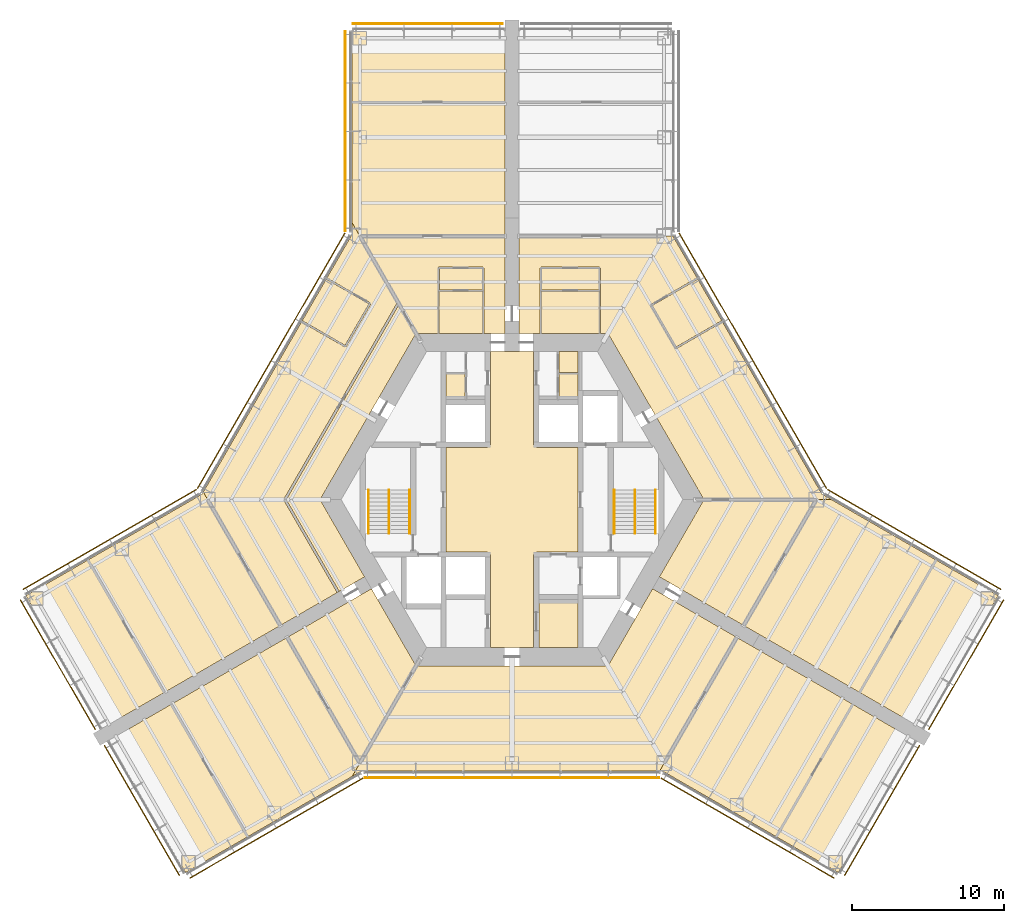
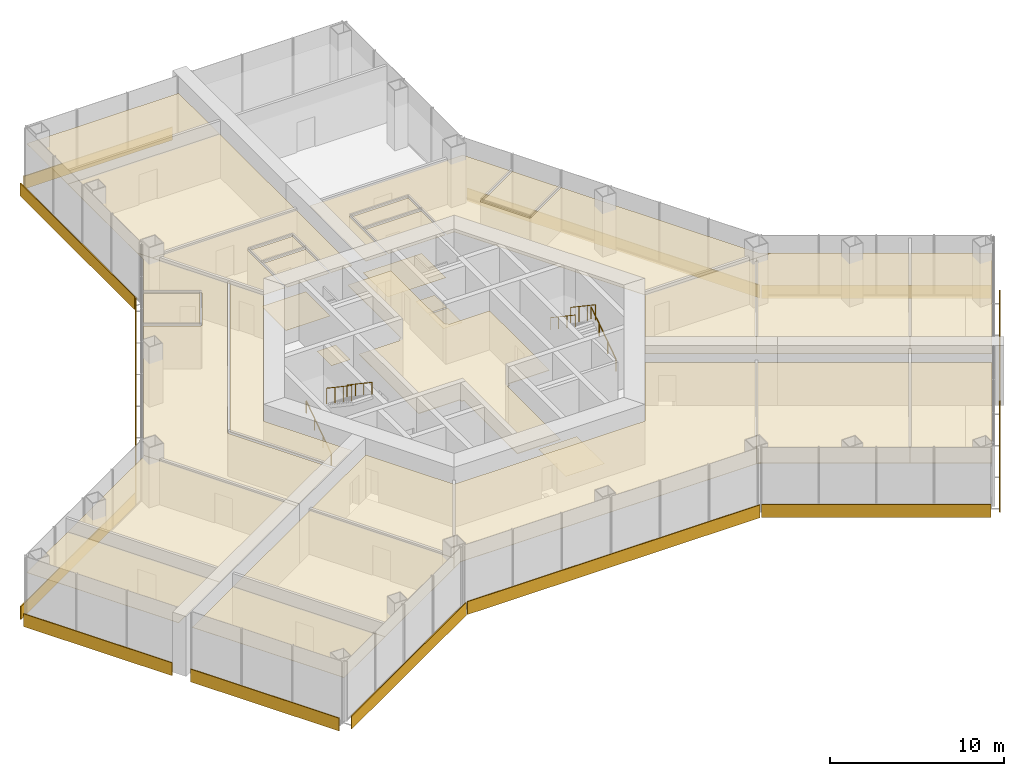
# One storey, part 15 of 16: 30 coverings, 13 shading devices, 6 railings.
"""IFC4 building model written with IfcOpenShell, lengths in metres."""

from ifc_helpers import new_model, si_unit, direction, frame, origin, origin_2d, place, context, subcontext, project, spatial, polyline, rectangle, circle, outline, extrude, material, layer, layer_set, type_object, element, save


model = new_model("IFC4")

# Units and contexts
model_context = context("Model", 3, precision=1e-05, world=origin(), true_north=direction((0.0, 1.0)))
body_context = subcontext(model_context, "Body", "Model", "MODEL_VIEW")
ifc_project = project(units=[si_unit("LENGTHUNIT", "METRE"), si_unit("AREAUNIT", "SQUARE_METRE"), si_unit("VOLUMEUNIT", "CUBIC_METRE"), si_unit("PLANEANGLEUNIT", "RADIAN"), si_unit("MASSUNIT", "GRAM", prefix="KILO")], contexts=[model_context])

# Site, building, storey
site_placement = place(None, origin())
site = spatial("IfcSite", under=ifc_project, at=site_placement, CompositionType="ELEMENT")
building_placement = place(site_placement, origin())
building = spatial("IfcBuilding", under=site, at=building_placement, Name="Kasaneha Research Tower", CompositionType="ELEMENT")
storey_placement = place(building_placement, frame((0.0, 0.0, 10.0)))
storey = spatial("IfcBuildingStorey", under=building, at=storey_placement, Name="L03", CompositionType="ELEMENT", Elevation=10.0)

# Coverings
ifc_material_1 = material(Name="Washable coated ceiling board", Category="gypsum")
ifc_layer_1 = layer(ifc_material_1, 0.02490234375)
ifc_layer_set_1 = layer_set([ifc_layer_1], Name="Laboratory ceiling 25")
covering_type_1 = type_object("IfcCoveringType", Name="Laboratory ceiling 25", PredefinedType="CEILING", material=ifc_layer_set_1)
covering_1_placement = place(storey_placement, frame((0.0, 0.0, 3.0)))
element("IfcCovering", 1, at=covering_1_placement, inside=storey, type_object=covering_type_1, Name="Ceiling L03-27", PredefinedType="CEILING", context=body_context, shape_type="SweptSolid", body=[
    extrude(outline(polyline([(1.949951171875, 10.925048828125), (1.949951171875, 13.675048828125), (5.70703125, 13.675048828125), (5.70703125, 10.925048828125), (1.949951171875, 10.925048828125)])), origin(), (0.0, 0.0, 1.0), 0.02490234375),
])
covering_2_placement = place(storey_placement, frame((0.0, 0.0, 3.0)))
element("IfcCovering", 2, at=covering_2_placement, inside=storey, type_object=covering_type_1, Name="Ceiling L03-28", PredefinedType="CEILING", context=body_context, shape_type="SweptSolid", body=[
    extrude(outline(polyline([(5.70703125, 13.77490234375), (1.949951171875, 13.77490234375), (1.949951171875, 15.175048828125), (5.70703125, 15.175048828125), (5.70703125, 13.77490234375)])), origin(), (0.0, 0.0, 1.0), 0.02490234375),
])
covering_3_placement = place(storey_placement, frame((0.0, 0.0, 3.0)))
element("IfcCovering", 3, at=covering_3_placement, inside=storey, type_object=covering_type_1, Name="Ceiling L03-29", PredefinedType="CEILING", context=body_context, shape_type="SweptSolid", body=[
    extrude(outline(polyline([(13.809814453125, 11.7216796875), (13.79248046875, 11.711669921875), (13.767578125, 11.7548828125), (10.797119140625, 10.0400390625), (9.223876953125, 12.764892578125), (12.202880859375, 14.48486328125), (12.177978515625, 14.5283203125), (12.1865234375, 14.533203125), (13.809814453125, 11.7216796875)])), origin(), (0.0, 0.0, 1.0), 0.02490234375),
])
covering_4_placement = place(storey_placement, frame((0.0, 0.0, 3.0)))
element("IfcCovering", 4, at=covering_4_placement, inside=storey, type_object=covering_type_1, Name="Ceiling L03-30", PredefinedType="CEILING", context=body_context, shape_type="SweptSolid", body=[
    extrude(outline(polyline([(6.3076171875, 10.925048828125), (5.80712890625, 10.925048828125), (5.80712890625, 15.22509765625), (5.757568359375, 15.22509765625), (5.757568359375, 15.225341796875), (5.757080078125, 15.225341796875), (5.757080078125, 15.27490234375), (1.89990234375, 15.27490234375), (1.89990234375, 15.225341796875), (1.899658203125, 15.225341796875), (1.899658203125, 15.22509765625), (1.85009765625, 15.22509765625), (1.85009765625, 10.925048828125), (0.449951171875, 10.925048828125), (0.449951171875, 11.72509765625), (0.449951171875, 12.72509765625), (0.449951171875, 17.320556640625), (10.577392578125, 17.320556640625), (12.186279296875, 14.53369140625), (12.177734375, 14.528564453125), (12.153076171875, 14.571533203125), (9.130615234375, 12.826416015625), (9.1552734375, 12.783447265625), (9.155029296875, 12.783203125), (9.155029296875, 12.782958984375), (9.1123046875, 12.75830078125), (10.7353515625, 9.94677734375), (10.77880859375, 9.9716796875), (10.8037109375, 9.928466796875), (13.8173828125, 11.66845703125), (13.792724609375, 11.711181640625), (13.81005859375, 11.72119140625), (20.365966796875, 0.365966796875), (21.0, 0.0), (12.614990234375, 0.0), (6.3076171875, 10.925048828125)])), origin(), (0.0, 0.0, 1.0), 0.02490234375),
])
covering_5_placement = place(storey_placement, frame((0.0, 0.0, 3.0)))
element("IfcCovering", 5, at=covering_5_placement, inside=storey, type_object=covering_type_1, Name="Ceiling L03-33", PredefinedType="CEILING", context=body_context, shape_type="SweptSolid", body=[
    extrude(outline(polyline([(-4.778564453125, 10.925048828125), (-4.778564453125, 13.675048828125), (-1.949951171875, 13.675048828125), (-1.949951171875, 10.925048828125), (-4.778564453125, 10.925048828125)])), origin(), (0.0, 0.0, 1.0), 0.02490234375),
])
covering_6_placement = place(storey_placement, frame((0.0, 0.0, 3.0)))
element("IfcCovering", 6, at=covering_6_placement, inside=storey, type_object=covering_type_1, Name="Ceiling L03-34", PredefinedType="CEILING", context=body_context, shape_type="SweptSolid", body=[
    extrude(outline(polyline([(-1.949951171875, 15.175048828125), (-1.949951171875, 13.77490234375), (-4.778564453125, 13.77490234375), (-4.778564453125, 15.175048828125), (-1.949951171875, 15.175048828125)])), origin(), (0.0, 0.0, 1.0), 0.02490234375),
])
covering_7_placement = place(storey_placement, frame((0.0, 0.0, 3.0)))
element("IfcCovering", 7, at=covering_7_placement, inside=storey, type_object=covering_type_1, Name="Ceiling L03-35", PredefinedType="CEILING", context=body_context, shape_type="SweptSolid", body=[
    extrude(outline(polyline([(-1.85009765625, 10.925048828125), (-1.85009765625, 15.22509765625), (-1.8994140625, 15.22509765625), (-1.8994140625, 15.22509765625), (-1.8994140625, 15.22509765625), (-1.8994140625, 15.22509765625), (-1.899658203125, 15.22509765625), (-1.899658203125, 15.225341796875), (-1.899658203125, 15.225341796875), (-1.899658203125, 15.225341796875), (-1.899658203125, 15.225341796875), (-1.899658203125, 15.225341796875), (-1.899658203125, 15.225341796875), (-1.899658203125, 15.225341796875), (-1.89990234375, 15.225341796875), (-1.89990234375, 15.2255859375), (-1.89990234375, 15.2255859375), (-1.89990234375, 15.2255859375), (-1.89990234375, 15.2255859375), (-1.89990234375, 15.27490234375), (-4.82861328125, 15.27490234375), (-4.82861328125, 15.2255859375), (-4.82861328125, 15.2255859375), (-4.82861328125, 15.2255859375), (-4.82861328125, 15.2255859375), (-4.828857421875, 15.225341796875), (-4.828857421875, 15.225341796875), (-4.828857421875, 15.225341796875), (-4.828857421875, 15.225341796875), (-4.828857421875, 15.225341796875), (-4.828857421875, 15.225341796875), (-4.8291015625, 15.225341796875), (-4.8291015625, 15.225341796875), (-4.8291015625, 15.22509765625), (-4.8291015625, 15.22509765625), (-4.8291015625, 15.22509765625), (-4.8291015625, 15.22509765625), (-4.8291015625, 15.22509765625), (-4.878662109375, 15.22509765625), (-4.878662109375, 10.925048828125), (-6.3076171875, 10.925048828125), (-7.4189453125, 12.85009765625), (-7.408935546875, 12.867431640625), (-7.439208984375, 12.885009765625), (-10.0, 17.320556640625), (-0.449951171875, 17.320556640625), (-0.449951171875, 12.72509765625), (-0.449951171875, 11.72509765625), (-0.449951171875, 10.925048828125), (-1.85009765625, 10.925048828125)])), origin(), (0.0, 0.0, 1.0), 0.02490234375),
])
covering_8_placement = place(storey_placement, frame((0.0, 0.0, 3.0)))
element("IfcCovering", 8, at=covering_8_placement, inside=storey, type_object=covering_type_1, Name="Ceiling L03-36", PredefinedType="CEILING", context=body_context, shape_type="SweptSolid", body=[
    extrude(outline(polyline([(-10.5, 26.12060546875), (-0.449951171875, 26.12060546875), (-0.449951171875, 17.320556640625), (-10.0, 17.320556640625), (-10.5, 18.1865234375), (-10.5, 26.12060546875)])), origin(), (0.0, 0.0, 1.0), 0.02490234375),
])
covering_9_placement = place(storey_placement, frame((0.0, 0.0, 3.0)))
element("IfcCovering", 9, at=covering_9_placement, inside=storey, type_object=covering_type_1, Name="Ceiling L03-37", PredefinedType="CEILING", context=body_context, shape_type="SweptSolid", body=[
    extrude(outline(polyline([(-0.449951171875, 30.820556640625), (-0.449951171875, 26.12060546875), (-10.5, 26.12060546875), (-10.5, 30.820556640625), (-0.449951171875, 30.820556640625)])), origin(), (0.0, 0.0, 1.0), 0.02490234375),
])
covering_10_placement = place(storey_placement, frame((0.0, 0.0, 3.0)))
element("IfcCovering", 10, at=covering_10_placement, inside=storey, type_object=covering_type_1, Name="Ceiling L03-38", PredefinedType="CEILING", context=body_context, shape_type="SweptSolid", body=[
    extrude(outline(polyline([(-12.614990234375, 0.0), (-9.686279296875, -5.07275390625), (-11.41845703125, -6.07275390625), (-11.428466796875, -6.055419921875), (-11.363525390625, -6.01806640625), (-14.837890625, 0.0), (-7.4189453125, 12.85009765625), (-6.3076171875, 10.925048828125), (-12.614990234375, 0.0)])), origin(), (0.0, 0.0, 1.0), 0.02490234375),
])
covering_11_placement = place(storey_placement, frame((0.0, 0.0, 3.0)))
element("IfcCovering", 11, at=covering_11_placement, inside=storey, type_object=covering_type_1, Name="Ceiling L03-39", PredefinedType="CEILING", context=body_context, shape_type="SweptSolid", body=[
    extrude(outline(polyline([(-12.1865234375, 14.533203125), (-12.177978515625, 14.5283203125), (-12.202880859375, 14.48486328125), (-9.39697265625, 12.864990234375), (-10.97021484375, 10.139892578125), (-13.767578125, 11.7548828125), (-13.79248046875, 11.711669921875), (-13.809814453125, 11.7216796875), (-12.1865234375, 14.533203125)])), origin(), (0.0, 0.0, 1.0), 0.02490234375),
])
covering_12_placement = place(storey_placement, frame((0.0, 0.0, 3.0)))
element("IfcCovering", 12, at=covering_12_placement, inside=storey, type_object=covering_type_1, Name="Ceiling L03-40", PredefinedType="CEILING", context=body_context, shape_type="SweptSolid", body=[
    extrude(outline(polyline([(-14.9248046875, -0.000244140625), (-14.989501953125, -0.03759765625), (-11.493408203125, -6.093017578125), (-11.4287109375, -6.0556640625), (-11.418701171875, -6.072998046875), (-15.22509765625, -8.2705078125), (-20.28857421875, 0.5), (-13.81005859375, 11.72119140625), (-13.792724609375, 11.711181640625), (-13.8173828125, 11.66845703125), (-10.976806640625, 10.0283203125), (-10.9521484375, 10.0712890625), (-10.951904296875, 10.0712890625), (-10.95166015625, 10.071533203125), (-10.90869140625, 10.046630859375), (-9.285400390625, 12.858154296875), (-9.32861328125, 12.88330078125), (-9.3037109375, 12.926513671875), (-12.153076171875, 14.571533203125), (-12.177734375, 14.528564453125), (-12.186279296875, 14.53369140625), (-10.5, 17.45458984375), (-10.5, 18.1865234375), (-7.46240234375, 12.925537109375), (-7.47412109375, 12.9052734375), (-7.538818359375, 12.9423828125), (-14.989501953125, 0.03759765625), (-14.9248046875, 0.000244140625), (-14.925048828125, 0.0), (-14.9248046875, -0.000244140625)])), origin(), (0.0, 0.0, 1.0), 0.02490234375),
])
covering_13_placement = place(storey_placement, frame((0.0, 0.0, 3.0)))
element("IfcCovering", 13, at=covering_13_placement, inside=storey, type_object=covering_type_1, Name="Ceiling L03-41", PredefinedType="CEILING", context=body_context, shape_type="SweptSolid", body=[
    extrude(outline(polyline([(-22.845947265625, -12.670654296875), (-27.87109375, -3.967041015625), (-20.365966796875, 0.365966796875), (-20.28857421875, 0.5), (-15.22509765625, -8.2705078125), (-19.25244140625, -10.595947265625), (-22.845947265625, -12.670654296875)])), origin(), (0.0, 0.0, 1.0), 0.02490234375),
])
covering_14_placement = place(storey_placement, frame((0.0, 0.0, 3.0)))
element("IfcCovering", 14, at=covering_14_placement, inside=storey, type_object=covering_type_1, Name="Ceiling L03-42", PredefinedType="CEILING", context=body_context, shape_type="SweptSolid", body=[
    extrude(outline(polyline([(-26.916259765625, -15.0205078125), (-31.94140625, -6.31689453125), (-27.87109375, -3.967041015625), (-22.845947265625, -12.670654296875), (-23.134521484375, -12.837158203125), (-26.916259765625, -15.0205078125)])), origin(), (0.0, 0.0, 1.0), 0.02490234375),
])
covering_15_placement = place(storey_placement, frame((0.0, 0.0, 3.0)))
element("IfcCovering", 15, at=covering_15_placement, inside=storey, type_object=covering_type_1, Name="Ceiling L03-43", PredefinedType="CEILING", context=body_context, shape_type="SweptSolid", body=[
    extrude(outline(polyline([(-9.236328125, -5.852294921875), (-6.3076171875, -10.925048828125), (-10.0, -17.320556640625), (-14.77490234375, -9.050048828125), (-9.92919921875, -6.252197265625), (-9.92919921875, -6.252197265625), (-9.236328125, -5.852294921875)])), origin(), (0.0, 0.0, 1.0), 0.02490234375),
])
covering_16_placement = place(storey_placement, frame((0.0, 0.0, 3.0)))
element("IfcCovering", 16, at=covering_16_placement, inside=storey, type_object=covering_type_1, Name="Ceiling L03-44", PredefinedType="CEILING", context=body_context, shape_type="SweptSolid", body=[
    extrude(outline(polyline([(-21.44140625, -24.50341796875), (-26.46630859375, -15.800048828125), (-22.39599609375, -13.449951171875), (-17.37109375, -22.153564453125), (-21.44140625, -24.50341796875)])), origin(), (0.0, 0.0, 1.0), 0.02490234375),
])
covering_17_placement = place(storey_placement, frame((0.0, 0.0, 3.0)))
element("IfcCovering", 17, at=covering_17_placement, inside=storey, type_object=covering_type_1, Name="Ceiling L03-45", PredefinedType="CEILING", context=body_context, shape_type="SweptSolid", body=[
    extrude(outline(polyline([(-10.5, -18.1865234375), (-17.37109375, -22.153564453125), (-22.39599609375, -13.449951171875), (-14.77490234375, -9.050048828125), (-10.0, -17.320556640625), (-10.5, -18.1865234375)])), origin(), (0.0, 0.0, 1.0), 0.02490234375),
])
covering_18_placement = place(storey_placement, frame((0.0, 0.0, 3.0)))
element("IfcCovering", 18, at=covering_18_placement, inside=storey, type_object=covering_type_1, Name="Ceiling L03-46", PredefinedType="CEILING", context=body_context, shape_type="SweptSolid", body=[
    extrude(outline(polyline([(11.2451171875, -5.972900390625), (10.379150390625, -5.472900390625), (9.686279296875, -5.07275390625), (12.614990234375, 0.0), (20.0, 0.0), (15.22509765625, -8.2705078125), (14.55810546875, -7.885498046875), (11.2451171875, -5.972900390625)])), origin(), (0.0, 0.0, 1.0), 0.02490234375),
])
covering_19_placement = place(storey_placement, frame((0.0, 0.0, 3.0)))
element("IfcCovering", 19, at=covering_19_placement, inside=storey, type_object=covering_type_1, Name="Ceiling L03-47", PredefinedType="CEILING", context=body_context, shape_type="SweptSolid", body=[
    extrude(outline(polyline([(22.845947265625, -12.670654296875), (27.87109375, -3.967041015625), (31.94140625, -6.31689453125), (26.916259765625, -15.0205078125), (23.134521484375, -12.837158203125), (22.845947265625, -12.670654296875)])), origin(), (0.0, 0.0, 1.0), 0.02490234375),
])
covering_20_placement = place(storey_placement, frame((0.0, 0.0, 3.0)))
element("IfcCovering", 20, at=covering_20_placement, inside=storey, type_object=covering_type_1, Name="Ceiling L03-48", PredefinedType="CEILING", context=body_context, shape_type="SweptSolid", body=[
    extrude(outline(polyline([(15.22509765625, -8.2705078125), (20.0, 0.0), (21.0, 0.0), (27.87109375, -3.967041015625), (22.845947265625, -12.670654296875), (19.25244140625, -10.595947265625), (15.22509765625, -8.2705078125)])), origin(), (0.0, 0.0, 1.0), 0.02490234375),
])
covering_21_placement = place(storey_placement, frame((0.0, 0.0, 3.0)))
element("IfcCovering", 21, at=covering_21_placement, inside=storey, type_object=covering_type_1, Name="Ceiling L03-49", PredefinedType="CEILING", context=body_context, shape_type="SweptSolid", body=[
    extrude(outline(polyline([(-10.5, -18.1865234375), (-6.3076171875, -10.925048828125), (6.3076171875, -10.925048828125), (9.236328125, -5.852294921875), (9.92919921875, -6.252197265625), (9.92919921875, -6.252197265625), (10.909423828125, -6.818359375), (14.77490234375, -9.050048828125), (9.71142578125, -17.820556640625), (-9.865966796875, -17.820556640625), (-10.5, -18.1865234375)])), origin(), (0.0, 0.0, 1.0), 0.02490234375),
])
covering_22_placement = place(storey_placement, frame((0.0, 0.0, 3.0)))
element("IfcCovering", 22, at=covering_22_placement, inside=storey, type_object=covering_type_1, Name="Ceiling L03-50", PredefinedType="CEILING", context=body_context, shape_type="SweptSolid", body=[
    extrude(outline(polyline([(14.77490234375, -9.050048828125), (22.39599609375, -13.449951171875), (17.37109375, -22.153564453125), (9.865966796875, -17.820556640625), (9.71142578125, -17.820556640625), (14.77490234375, -9.050048828125)])), origin(), (0.0, 0.0, 1.0), 0.02490234375),
])
covering_23_placement = place(storey_placement, frame((0.0, 0.0, 3.0)))
element("IfcCovering", 23, at=covering_23_placement, inside=storey, type_object=covering_type_1, Name="Ceiling L03-51", PredefinedType="CEILING", context=body_context, shape_type="SweptSolid", body=[
    extrude(outline(polyline([(21.44140625, -24.50341796875), (17.37109375, -22.153564453125), (22.39599609375, -13.449951171875), (26.46630859375, -15.800048828125), (21.44140625, -24.50341796875)])), origin(), (0.0, 0.0, 1.0), 0.02490234375),
])
ifc_material_2 = material(Name="Aluminium panel ceiling", Category="aluminium")
ifc_layer_2 = layer(ifc_material_2, 0.0400390625)
ifc_layer_set_2 = layer_set([ifc_layer_2], Name="Lift lobby ceiling 40")
covering_type_2 = type_object("IfcCoveringType", Name="Lift lobby ceiling 40", PredefinedType="CEILING", material=ifc_layer_set_2)
covering_24_placement = place(storey_placement, frame((0.0, 0.0, 2.699951171875)))
element("IfcCovering", 24, at=covering_24_placement, inside=storey, type_object=covering_type_2, Name="Ceiling L03-01", PredefinedType="CEILING", context=body_context, shape_type="SweptSolid", body=[
    extrude(outline(polyline([(1.425048828125, 9.72509765625), (1.425048828125, 3.60009765625), (1.60009765625, 3.60009765625), (1.60009765625, 3.425048828125), (4.324951171875, 3.425048828125), (4.324951171875, -3.425048828125), (1.60009765625, -3.425048828125), (1.60009765625, -3.60009765625), (1.425048828125, -3.60009765625), (1.425048828125, -9.72509765625), (-1.425048828125, -9.72509765625), (-1.425048828125, -3.60009765625), (-1.60009765625, -3.60009765625), (-1.60009765625, -3.425048828125), (-4.324951171875, -3.425048828125), (-4.324951171875, 3.425048828125), (-1.60009765625, 3.425048828125), (-1.60009765625, 3.60009765625), (-1.425048828125, 3.60009765625), (-1.425048828125, 9.72509765625), (1.425048828125, 9.72509765625)])), origin(), (0.0, 0.0, 1.0), 0.0400390625),
])

# Railings
ifc_material_3 = material(Name="Steel", Category="steel")
railing_type_1 = type_object("IfcRailingType", Name="Stair balustrade 1100", PredefinedType="GUARDRAIL", material=ifc_material_3)
for number, where, name in (
    (25, (8.074951171875, 0.635009765625, 2.27490234375), "Stair 1 balustrade L03"),
    (26, (-8.074951171875, 0.635009765625, 2.27490234375), "Stair 2 balustrade L03"),
):
    element("IfcRailing", number, at=place(storey_placement, frame(where)), inside=storey, type_object=railing_type_1, Name=name, PredefinedType="GUARDRAIL", context=body_context, shape_type="SweptSolid", body=[
        extrude(circle(Radius=0.02392578125, at=origin_2d()), frame((0.0, 0.0, 1.076171875), z_axis=(0.0, -0.829590901723, 0.558371682465), x_axis=(1.0, 0.0, 0.0)), (0.0, 0.0, 1.0), 3.447509765625),
        extrude(circle(Radius=0.02099609375, at=origin_2d()), origin(), (0.0, 0.0, 1.0), 1.052001953125),
        extrude(circle(Radius=0.02099609375, at=origin_2d()), frame((0.0, -0.953369140625, 0.6416015625)), (0.0, 0.0, 1.0), 1.052001953125),
        extrude(circle(Radius=0.02099609375, at=origin_2d()), frame((0.0, -1.90673828125, 1.283447265625)), (0.0, 0.0, 1.0), 1.052001953125),
        extrude(circle(Radius=0.02099609375, at=origin_2d()), frame((0.0, -2.860107421875, 1.925048828125)), (0.0, 0.0, 1.0), 1.052001953125),
    ])
ifc_material_4 = material(Name="Steel", Category="steel")
railing_type_2 = type_object("IfcRailingType", Name="Stair handrail 850", PredefinedType="HANDRAIL", material=ifc_material_4)
railing_1_placement = place(storey_placement, frame((9.425048828125, -2.22509765625, 0.175048828125)))
element("IfcRailing", 27, at=railing_1_placement, inside=storey, type_object=railing_type_2, Name="Stair 1 handrail L03", PredefinedType="HANDRAIL", context=body_context, shape_type="SweptSolid", body=[
    extrude(circle(Radius=0.02392578125, at=origin_2d()), frame((0.0, 0.0, 0.826171875), z_axis=(0.0, 0.829590901723, 0.558371682465), x_axis=(-1.0, 0.0, 0.0)), (0.0, 0.0, 1.0), 3.447509765625),
    extrude(circle(Radius=0.02099609375, at=origin_2d()), origin(), (0.0, 0.0, 1.0), 0.802001953125),
    extrude(circle(Radius=0.02099609375, at=origin_2d()), frame((0.0, 0.953369140625, 0.6416015625)), (0.0, 0.0, 1.0), 0.802001953125),
    extrude(circle(Radius=0.02099609375, at=origin_2d()), frame((0.0, 1.90673828125, 1.283447265625)), (0.0, 0.0, 1.0), 0.802001953125),
    extrude(circle(Radius=0.02099609375, at=origin_2d()), frame((0.0, 2.860107421875, 1.925048828125)), (0.0, 0.0, 1.0), 0.802001953125),
])
railing_2_placement = place(storey_placement, frame((6.72509765625, 0.635009765625, 2.27490234375)))
element("IfcRailing", 28, at=railing_2_placement, inside=storey, type_object=railing_type_2, Name="Stair 1 handrail L03", PredefinedType="HANDRAIL", context=body_context, shape_type="SweptSolid", body=[
    extrude(circle(Radius=0.02392578125, at=origin_2d()), frame((0.0, 0.0, 0.826171875), z_axis=(0.0, -0.829590901723, 0.558371682465), x_axis=(1.0, 0.0, 0.0)), (0.0, 0.0, 1.0), 3.447509765625),
    extrude(circle(Radius=0.02099609375, at=origin_2d()), origin(), (0.0, 0.0, 1.0), 0.802001953125),
    extrude(circle(Radius=0.02099609375, at=origin_2d()), frame((0.0, -0.953369140625, 0.6416015625)), (0.0, 0.0, 1.0), 0.802001953125),
    extrude(circle(Radius=0.02099609375, at=origin_2d()), frame((0.0, -1.90673828125, 1.283447265625)), (0.0, 0.0, 1.0), 0.802001953125),
    extrude(circle(Radius=0.02099609375, at=origin_2d()), frame((0.0, -2.860107421875, 1.925048828125)), (0.0, 0.0, 1.0), 0.802001953125),
])
railing_3_placement = place(storey_placement, frame((-9.425048828125, -2.22509765625, 0.175048828125)))
element("IfcRailing", 29, at=railing_3_placement, inside=storey, type_object=railing_type_2, Name="Stair 2 handrail L03", PredefinedType="HANDRAIL", context=body_context, shape_type="SweptSolid", body=[
    extrude(circle(Radius=0.02392578125, at=origin_2d()), frame((0.0, 0.0, 0.826171875), z_axis=(0.0, 0.829590901723, 0.558371682465), x_axis=(-1.0, 0.0, 0.0)), (0.0, 0.0, 1.0), 3.447509765625),
    extrude(circle(Radius=0.02099609375, at=origin_2d()), origin(), (0.0, 0.0, 1.0), 0.802001953125),
    extrude(circle(Radius=0.02099609375, at=origin_2d()), frame((0.0, 0.953369140625, 0.6416015625)), (0.0, 0.0, 1.0), 0.802001953125),
    extrude(circle(Radius=0.02099609375, at=origin_2d()), frame((0.0, 1.90673828125, 1.283447265625)), (0.0, 0.0, 1.0), 0.802001953125),
    extrude(circle(Radius=0.02099609375, at=origin_2d()), frame((0.0, 2.860107421875, 1.925048828125)), (0.0, 0.0, 1.0), 0.802001953125),
])
railing_4_placement = place(storey_placement, frame((-6.72509765625, 0.635009765625, 2.27490234375)))
element("IfcRailing", 30, at=railing_4_placement, inside=storey, type_object=railing_type_2, Name="Stair 2 handrail L03", PredefinedType="HANDRAIL", context=body_context, shape_type="SweptSolid", body=[
    extrude(circle(Radius=0.02392578125, at=origin_2d()), frame((0.0, 0.0, 0.826171875), z_axis=(0.0, -0.829590901723, 0.558371682465), x_axis=(1.0, 0.0, 0.0)), (0.0, 0.0, 1.0), 3.447509765625),
    extrude(circle(Radius=0.02099609375, at=origin_2d()), origin(), (0.0, 0.0, 1.0), 0.802001953125),
    extrude(circle(Radius=0.02099609375, at=origin_2d()), frame((0.0, -0.953369140625, 0.6416015625)), (0.0, 0.0, 1.0), 0.802001953125),
    extrude(circle(Radius=0.02099609375, at=origin_2d()), frame((0.0, -1.90673828125, 1.283447265625)), (0.0, 0.0, 1.0), 0.802001953125),
    extrude(circle(Radius=0.02099609375, at=origin_2d()), frame((0.0, -2.860107421875, 1.925048828125)), (0.0, 0.0, 1.0), 0.802001953125),
])

# Shading devices
ifc_material_5 = material(Name="Terracotta", Category="masonry")
ifc_layer_3 = layer(ifc_material_5, 0.06005859375)
ifc_layer_set_3 = layer_set([ifc_layer_3], Name="Terracotta baguette screen")
shading_device_type = type_object("IfcShadingDeviceType", Name="Terracotta baguette screen", PredefinedType="USERDEFINED", material=ifc_layer_set_3)
shading_device_1_placement = place(storey_placement, frame((-15.483642578125, -21.58349609375, -0.449951171875), z_axis=(0.0, 0.0, 1.0), x_axis=(0.866025411464, 0.499999986699, 0.0)))
element("IfcShadingDevice", 31, at=shading_device_1_placement, inside=storey, type_object=shading_device_type, Name="Baguette screen L03 01", ObjectType="TERRACOTTA BAGUETTE SCREEN", PredefinedType="USERDEFINED", context=body_context, shape_type="SweptSolid", body=[
    extrude(rectangle(XDim=13.13916015625, YDim=0.06005859375, at=origin_2d()), origin(), (0.0, 0.0, 1.0), 0.89990234375),
])
shading_device_2_placement = place(storey_placement, frame((0.0, -18.2705078125, -0.449951171875), z_axis=(0.0, 0.0, 1.0), x_axis=(1.0, 0.0, 0.0)))
element("IfcShadingDevice", 32, at=shading_device_2_placement, inside=storey, type_object=shading_device_type, Name="Baguette screen L03 02", ObjectType="TERRACOTTA BAGUETTE SCREEN", PredefinedType="USERDEFINED", context=body_context, shape_type="SweptSolid", body=[
    extrude(rectangle(XDim=19.37841796875, YDim=0.06005859375, at=origin_2d()), origin(), (0.0, 0.0, 1.0), 0.89990234375),
])
shading_device_3_placement = place(storey_placement, frame((15.483642578125, -21.58349609375, -0.449951171875), z_axis=(0.0, 0.0, 1.0), x_axis=(0.866025411464, -0.499999986699, 0.0)))
element("IfcShadingDevice", 33, at=shading_device_3_placement, inside=storey, type_object=shading_device_type, Name="Baguette screen L03 03", ObjectType="TERRACOTTA BAGUETTE SCREEN", PredefinedType="USERDEFINED", context=body_context, shape_type="SweptSolid", body=[
    extrude(rectangle(XDim=13.13916015625, YDim=0.06005859375, at=origin_2d()), origin(), (0.0, 0.0, 1.0), 0.89990234375),
])
for number, where, z_axis, x_axis, name in (
    (34, (24.318603515625, -20.420166015625, -0.449951171875), (0.0, 0.0, 1.0), (0.500000011442, 0.866025397178, 0.0), "Baguette screen L03 04"),
    (35, (29.843505859375, -10.850341796875, -0.449951171875), (0.0, 0.0, 1.0), (0.500000011442, 0.866025397178, 0.0), "Baguette screen L03 05"),
):
    element("IfcShadingDevice", number, at=place(storey_placement, frame(where, z_axis=z_axis, x_axis=x_axis)), inside=storey, type_object=shading_device_type, Name=name, ObjectType="TERRACOTTA BAGUETTE SCREEN", PredefinedType="USERDEFINED", context=body_context, shape_type="SweptSolid", body=[
        extrude(rectangle(XDim=9.85009765625, YDim=0.06005859375, at=origin_2d()), origin(), (0.0, 0.0, 1.0), 0.89990234375),
    ])
shading_device_4_placement = place(storey_placement, frame((26.43359375, -2.617431640625, -0.449951171875), z_axis=(0.0, 0.0, 1.0), x_axis=(-0.866025411464, 0.499999986699, 0.0)))
element("IfcShadingDevice", 36, at=shading_device_4_placement, inside=storey, type_object=shading_device_type, Name="Baguette screen L03 06", ObjectType="TERRACOTTA BAGUETTE SCREEN", PredefinedType="USERDEFINED", context=body_context, shape_type="SweptSolid", body=[
    extrude(rectangle(XDim=13.13916015625, YDim=0.06005859375, at=origin_2d()), origin(), (0.0, 0.0, 1.0), 0.89990234375),
])
shading_device_5_placement = place(storey_placement, frame((15.82275390625, 9.13525390625, -0.449951171875), z_axis=(0.0, 0.0, 1.0), x_axis=(-0.49999996188, 0.866025425793, 0.0)))
element("IfcShadingDevice", 37, at=shading_device_5_placement, inside=storey, type_object=shading_device_type, Name="Baguette screen L03 07", ObjectType="TERRACOTTA BAGUETTE SCREEN", PredefinedType="USERDEFINED", context=body_context, shape_type="SweptSolid", body=[
    extrude(rectangle(XDim=19.37841796875, YDim=0.06005859375, at=origin_2d()), origin(), (0.0, 0.0, 1.0), 0.89990234375),
])
shading_device_6_placement = place(storey_placement, frame((-5.52490234375, 31.2705078125, -0.449951171875), z_axis=(0.0, 0.0, 1.0), x_axis=(-1.0, 0.0, 0.0)))
element("IfcShadingDevice", 38, at=shading_device_6_placement, inside=storey, type_object=shading_device_type, Name="Baguette screen L03 10", ObjectType="TERRACOTTA BAGUETTE SCREEN", PredefinedType="USERDEFINED", context=body_context, shape_type="SweptSolid", body=[
    extrude(rectangle(XDim=9.85009765625, YDim=0.06005859375, at=origin_2d()), origin(), (0.0, 0.0, 1.0), 0.89990234375),
])
shading_device_7_placement = place(storey_placement, frame((-10.949951171875, 24.200927734375, -0.449951171875), z_axis=(0.0, 0.0, 1.0), x_axis=(0.0, -1.0, 0.0)))
element("IfcShadingDevice", 39, at=shading_device_7_placement, inside=storey, type_object=shading_device_type, Name="Baguette screen L03 11", ObjectType="TERRACOTTA BAGUETTE SCREEN", PredefinedType="USERDEFINED", context=body_context, shape_type="SweptSolid", body=[
    extrude(rectangle(XDim=13.13916015625, YDim=0.06005859375, at=origin_2d()), origin(), (0.0, 0.0, 1.0), 0.89990234375),
])
shading_device_8_placement = place(storey_placement, frame((-15.82275390625, 9.13525390625, -0.449951171875), z_axis=(0.0, 0.0, 1.0), x_axis=(-0.49999996188, -0.866025425793, 0.0)))
element("IfcShadingDevice", 40, at=shading_device_8_placement, inside=storey, type_object=shading_device_type, Name="Baguette screen L03 12", ObjectType="TERRACOTTA BAGUETTE SCREEN", PredefinedType="USERDEFINED", context=body_context, shape_type="SweptSolid", body=[
    extrude(rectangle(XDim=19.37841796875, YDim=0.06005859375, at=origin_2d()), origin(), (0.0, 0.0, 1.0), 0.89990234375),
])
shading_device_9_placement = place(storey_placement, frame((-26.43359375, -2.617431640625, -0.449951171875), z_axis=(0.0, 0.0, 1.0), x_axis=(-0.866025411464, -0.499999986699, 0.0)))
element("IfcShadingDevice", 41, at=shading_device_9_placement, inside=storey, type_object=shading_device_type, Name="Baguette screen L03 13", ObjectType="TERRACOTTA BAGUETTE SCREEN", PredefinedType="USERDEFINED", context=body_context, shape_type="SweptSolid", body=[
    extrude(rectangle(XDim=13.13916015625, YDim=0.06005859375, at=origin_2d()), origin(), (0.0, 0.0, 1.0), 0.89990234375),
])
for number, where, z_axis, x_axis, name in (
    (42, (-29.843505859375, -10.850341796875, -0.449951171875), (0.0, 0.0, 1.0), (0.500000011442, -0.866025397178, 0.0), "Baguette screen L03 14"),
    (43, (-24.318603515625, -20.420166015625, -0.449951171875), (0.0, 0.0, 1.0), (0.500000011442, -0.866025397178, 0.0), "Baguette screen L03 15"),
):
    element("IfcShadingDevice", number, at=place(storey_placement, frame(where, z_axis=z_axis, x_axis=x_axis)), inside=storey, type_object=shading_device_type, Name=name, ObjectType="TERRACOTTA BAGUETTE SCREEN", PredefinedType="USERDEFINED", context=body_context, shape_type="SweptSolid", body=[
        extrude(rectangle(XDim=9.85009765625, YDim=0.06005859375, at=origin_2d()), origin(), (0.0, 0.0, 1.0), 0.89990234375),
    ])

# Coverings
ifc_material_6 = material(Name="Vinyl sheet flooring", Category="plastic")
ifc_layer_4 = layer(ifc_material_6, 0.0048828125)
ifc_layer_set_4 = layer_set([ifc_layer_4], Name="Wet room sheet flooring 5")
covering_type_3 = type_object("IfcCoveringType", Name="Wet room sheet flooring 5", PredefinedType="FLOORING", material=ifc_layer_set_4)
covering_25_placement = place(storey_placement, origin())
element("IfcCovering", 44, at=covering_25_placement, inside=storey, type_object=covering_type_3, Name="Floor finish L03-07", PredefinedType="FLOORING", context=body_context, shape_type="SweptSolid", body=[
    extrude(outline(polyline([(-4.324951171875, 6.574951171875), (-4.324951171875, 8.25), (-3.074951171875, 8.25), (-3.074951171875, 6.574951171875), (-4.324951171875, 6.574951171875)])), origin(), (0.0, 0.0, 1.0), 0.0048828125),
])
covering_26_placement = place(storey_placement, origin())
element("IfcCovering", 45, at=covering_26_placement, inside=storey, type_object=covering_type_3, Name="Floor finish L03-10", PredefinedType="FLOORING", context=body_context, shape_type="SweptSolid", body=[
    extrude(outline(polyline([(3.074951171875, 6.574951171875), (3.074951171875, 8.25), (4.324951171875, 8.25), (4.324951171875, 7.0), (4.324951171875, 6.574951171875), (3.074951171875, 6.574951171875)])), origin(), (0.0, 0.0, 1.0), 0.0048828125),
])
covering_27_placement = place(storey_placement, origin())
element("IfcCovering", 46, at=covering_27_placement, inside=storey, type_object=covering_type_3, Name="Floor finish L03-11", PredefinedType="FLOORING", context=body_context, shape_type="SweptSolid", body=[
    extrude(outline(polyline([(4.324951171875, 8.35009765625), (3.074951171875, 8.35009765625), (3.074951171875, 9.72509765625), (4.324951171875, 9.72509765625), (4.324951171875, 8.35009765625)])), origin(), (0.0, 0.0, 1.0), 0.0048828125),
])
covering_28_placement = place(storey_placement, origin())
element("IfcCovering", 47, at=covering_28_placement, inside=storey, type_object=covering_type_3, Name="Floor finish L03-13", PredefinedType="FLOORING", context=body_context, shape_type="SweptSolid", body=[
    extrude(outline(polyline([(1.77490234375, -9.72509765625), (1.77490234375, -6.574951171875), (4.324951171875, -6.574951171875), (4.324951171875, -9.72509765625), (1.77490234375, -9.72509765625)])), origin(), (0.0, 0.0, 1.0), 0.0048828125),
])
covering_29_placement = place(storey_placement, origin())
element("IfcCovering", 48, at=covering_29_placement, inside=storey, type_object=covering_type_3, Name="Floor finish L03-27", PredefinedType="FLOORING", context=body_context, shape_type="SweptSolid", body=[
    extrude(outline(polyline([(1.89990234375, 13.72509765625), (5.757080078125, 13.72509765625), (5.757080078125, 10.925048828125), (1.89990234375, 10.925048828125), (1.89990234375, 13.72509765625)])), origin(), (0.0, 0.0, 1.0), 0.0048828125),
])
covering_30_placement = place(storey_placement, origin())
element("IfcCovering", 49, at=covering_30_placement, inside=storey, type_object=covering_type_3, Name="Floor finish L03-33", PredefinedType="FLOORING", context=body_context, shape_type="SweptSolid", body=[
    extrude(outline(polyline([(-4.82861328125, 10.925048828125), (-4.82861328125, 13.72509765625), (-1.89990234375, 13.72509765625), (-1.89990234375, 10.925048828125), (-4.82861328125, 10.925048828125)])), origin(), (0.0, 0.0, 1.0), 0.0048828125),
])

save(model, "model.ifc")
